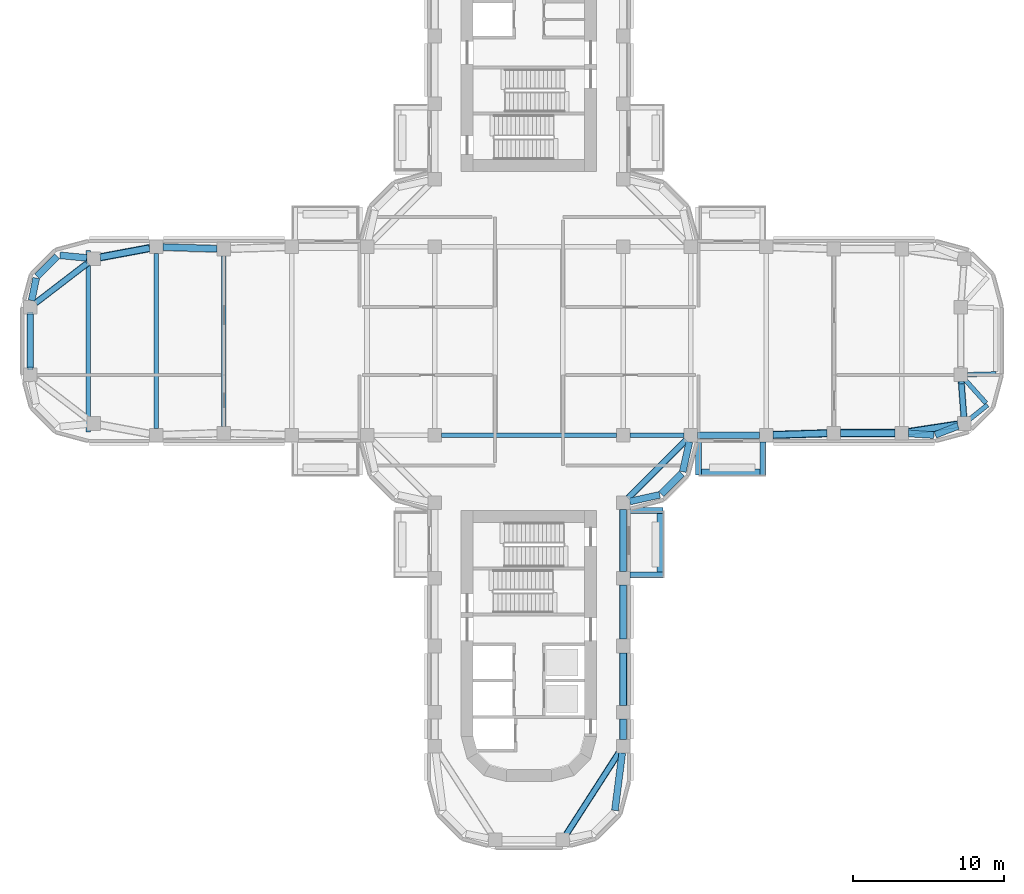
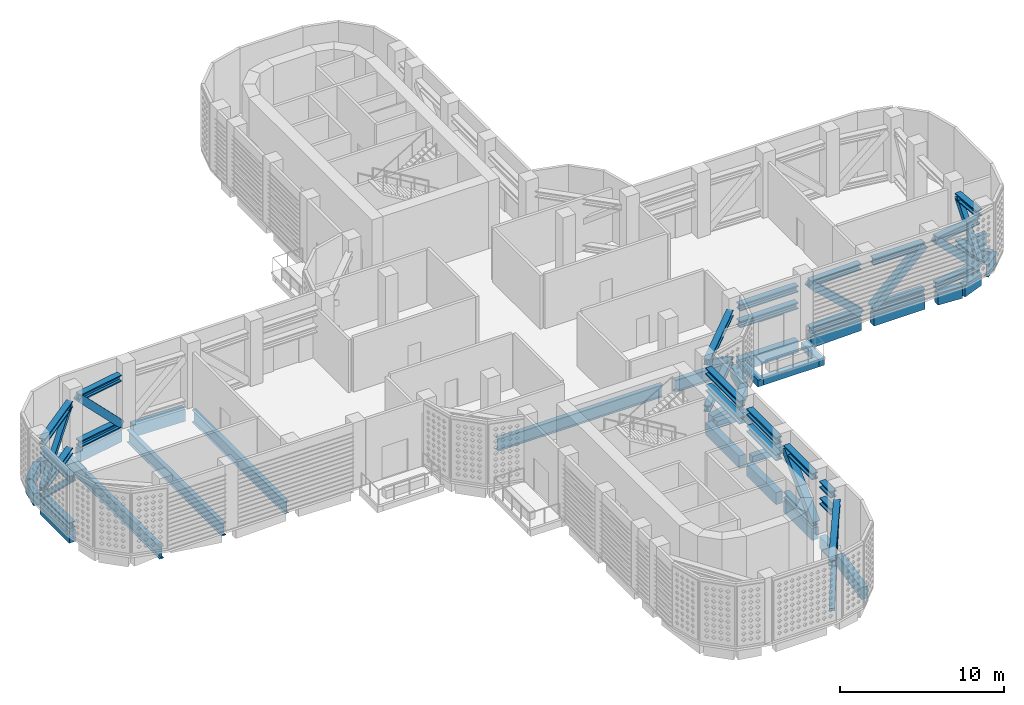
# One storey, part 2 of 20: 37 members, 33 beams.
"""IFC4 building model written with IfcOpenShell, lengths in metres."""

from ifc_helpers import new_model, si_unit, direction, frame, origin, origin_2d, place, context, subcontext, project, spatial, rectangle, hollow_rectangle, i_section, extrude, material, material_profile, profile_set, type_object, element, save


model = new_model("IFC4")

# Units and contexts
model_context = context("Model", 3, precision=1e-05, world=origin(), true_north=direction((0.0, 1.0)))
body_context = subcontext(model_context, "Body", "Model", "MODEL_VIEW")
ifc_project = project(units=[si_unit("LENGTHUNIT", "METRE"), si_unit("AREAUNIT", "SQUARE_METRE"), si_unit("VOLUMEUNIT", "CUBIC_METRE"), si_unit("PLANEANGLEUNIT", "RADIAN"), si_unit("MASSUNIT", "GRAM", prefix="KILO")], contexts=[model_context])

# Site, building, storey
site_placement = place(None, origin())
site = spatial("IfcSite", under=ifc_project, at=site_placement, CompositionType="ELEMENT")
building_placement = place(site_placement, origin())
building = spatial("IfcBuilding", under=site, at=building_placement, Name="Zarbagh Exchange Tower", CompositionType="ELEMENT")
storey_placement = place(building_placement, frame((0.0, 0.0, 136.0)))
storey = spatial("IfcBuildingStorey", under=building, at=storey_placement, Name="L32", CompositionType="ELEMENT", Elevation=136.0)

# Members
ifc_material_1 = material(Name="Steel ASTM A992 Gr 50", Category="steel")
ifc_material_profile_1 = material_profile(ifc_material_1, i_section(OverallWidth=0.421630859375, OverallDepth=0.46484375, WebThickness=0.044921875, FlangeThickness=0.072509765625, at=origin_2d()), Name="W14X398")
ifc_profile_set_1 = profile_set([ifc_material_profile_1], Name="Steel ASTM A992 Gr 50")
member_type_1 = type_object("IfcMemberType", Name="Belt truss chord W14X398", PredefinedType="CHORD", material=ifc_profile_set_1)
for number, where, z_axis, x_axis, name in (
    (1, (-33.110107421875, -1.800048828125, 0.232421875), (0.0, 1.0, 0.0), (-1.0, 0.0, 0.0), "Belt truss chord"),
    (2, (-33.110107421875, -1.800048828125, 3.697509765625), (0.0, 1.0, 0.0), (-1.0, 0.0, 0.0), "Belt truss chord"),
):
    element("IfcMember", number, at=place(storey_placement, frame(where, z_axis=z_axis, x_axis=x_axis)), inside=storey, type_object=member_type_1, Name=name, PredefinedType="CHORD", context=body_context, shape_type="SweptSolid", body=[
        extrude(i_section(OverallWidth=0.421630859375, OverallDepth=0.46484375, WebThickness=0.044921875, FlangeThickness=0.072509765625, at=origin_2d()), origin(), (0.0, 0.0, 1.0), 3.60009765625),
    ])
for number, where, z_axis, x_axis, name in (
    (3, (-32.7529296875, 2.52392578125, 0.232421875), (0.793294357749, 0.608838288844, 0.0), (-0.608838288844, 0.793294357749, 0.0), "Belt truss chord"),
    (4, (-32.7529296875, 2.52392578125, 3.697509765625), (0.793294357749, 0.608838288844, 0.0), (-0.608838288844, 0.793294357749, 0.0), "Belt truss chord"),
):
    element("IfcMember", number, at=place(storey_placement, frame(where, z_axis=z_axis, x_axis=x_axis)), inside=storey, type_object=member_type_1, Name=name, PredefinedType="CHORD", context=body_context, shape_type="SweptSolid", body=[
        extrude(i_section(OverallWidth=0.421630859375, OverallDepth=0.46484375, WebThickness=0.044921875, FlangeThickness=0.072509765625, at=origin_2d()), origin(), (0.0, 0.0, 1.0), 4.39697265625),
    ])
for number, where, z_axis, x_axis, name in (
    (5, (28.703125, -2.69873046875, 0.232421875), (0.073648183846, -0.997284284954, 0.0), (0.997284284954, 0.073648183846, 0.0), "Belt truss chord"),
    (6, (28.703125, -2.69873046875, 3.697509765625), (0.073648183846, -0.997284284954, 0.0), (0.997284284954, 0.073648183846, 0.0), "Belt truss chord"),
):
    element("IfcMember", number, at=place(storey_placement, frame(where, z_axis=z_axis, x_axis=x_axis)), inside=storey, type_object=member_type_1, Name=name, PredefinedType="CHORD", context=body_context, shape_type="SweptSolid", body=[
        extrude(i_section(OverallWidth=0.421630859375, OverallDepth=0.46484375, WebThickness=0.044921875, FlangeThickness=0.072509765625, at=origin_2d()), origin(), (0.0, 0.0, 1.0), 2.333740234375),
    ])
for number, where, z_axis, x_axis, name in (
    (7, (10.431884765625, -6.568115234375, 0.232421875), (-0.707106781187, -0.707106781187, 0.0), (0.707106781187, -0.707106781187, 0.0), "Belt truss chord"),
    (8, (10.431884765625, -6.568115234375, 3.697509765625), (-0.707106781187, -0.707106781187, 0.0), (0.707106781187, -0.707106781187, 0.0), "Belt truss chord"),
):
    element("IfcMember", number, at=place(storey_placement, frame(where, z_axis=z_axis, x_axis=x_axis)), inside=storey, type_object=member_type_1, Name=name, PredefinedType="CHORD", context=body_context, shape_type="SweptSolid", body=[
        extrude(i_section(OverallWidth=0.421630859375, OverallDepth=0.46484375, WebThickness=0.044921875, FlangeThickness=0.072509765625, at=origin_2d()), origin(), (0.0, 0.0, 1.0), 5.464111328125),
    ])
member_1_placement = place(storey_placement, frame((6.00634765625, -27.2783203125, 3.697509765625), z_axis=(-0.541516354651, -0.840690215029, 0.0), x_axis=(0.840690215029, -0.541516354651, 0.0)))
element("IfcMember", 9, at=member_1_placement, inside=storey, type_object=member_type_1, Name="Belt truss chord", PredefinedType="CHORD", context=body_context, shape_type="SweptSolid", body=[
    extrude(i_section(OverallWidth=0.421630859375, OverallDepth=0.46484375, WebThickness=0.044921875, FlangeThickness=0.072509765625, at=origin_2d()), origin(), (0.0, 0.0, 1.0), 6.48681640625),
])
ifc_material_2 = material(Name="Steel ASTM A500 Gr C", Category="steel")
ifc_material_profile_2 = material_profile(ifc_material_2, hollow_rectangle(XDim=0.355712890625, YDim=0.355712890625, WallThickness=0.014892578125, at=origin_2d()), Name="HSS14X14X5/8")
ifc_profile_set_2 = profile_set([ifc_material_profile_2], Name="Steel ASTM A500 Gr C")
member_type_2 = type_object("IfcMemberType", Name="Belt truss diagonal HSS14X14X5/8", PredefinedType="BRACE", material=ifc_profile_set_2)
member_2_placement = place(storey_placement, frame((-33.110107421875, 1.800048828125, 0.232421875), z_axis=(0.0, -0.720487463662, 0.693467962278), x_axis=(1.0, 0.0, 0.0)))
element("IfcMember", 10, at=member_2_placement, inside=storey, type_object=member_type_2, Name="Belt truss diagonal", PredefinedType="BRACE", context=body_context, shape_type="SweptSolid", body=[
    extrude(hollow_rectangle(XDim=0.355712890625, YDim=0.355712890625, WallThickness=0.014892578125, at=origin_2d()), origin(), (0.0, 0.0, 1.0), 4.996826171875),
])
member_3_placement = place(storey_placement, frame((-32.7529296875, 2.52392578125, 0.232421875), z_axis=(0.623066692411, 0.478191802498, 0.618967282522), x_axis=(-0.608838288844, 0.793294357749, 0.0)))
element("IfcMember", 11, at=member_3_placement, inside=storey, type_object=member_type_2, Name="Belt truss diagonal", PredefinedType="BRACE", context=body_context, shape_type="SweptSolid", body=[
    extrude(hollow_rectangle(XDim=0.355712890625, YDim=0.355712890625, WallThickness=0.014892578125, at=origin_2d()), origin(), (0.0, 0.0, 1.0), 5.59814453125),
])
member_4_placement = place(storey_placement, frame((28.875, -5.026123046875, 0.232421875), z_axis=(-0.04114111266, 0.557099754248, 0.829425869301), x_axis=(-0.997284284954, -0.073648183846, 0.0)))
element("IfcMember", 12, at=member_4_placement, inside=storey, type_object=member_type_2, Name="Belt truss diagonal", PredefinedType="BRACE", context=body_context, shape_type="SweptSolid", body=[
    extrude(hollow_rectangle(XDim=0.355712890625, YDim=0.355712890625, WallThickness=0.014892578125, at=origin_2d()), origin(), (0.0, 0.0, 1.0), 4.177734375),
])
member_5_placement = place(storey_placement, frame((10.431884765625, -6.568115234375, 0.232421875), z_axis=(-0.597158313507, -0.597158313507, 0.535540752155), x_axis=(0.707106781187, -0.707106781187, 0.0)))
element("IfcMember", 13, at=member_5_placement, inside=storey, type_object=member_type_2, Name="Belt truss diagonal", PredefinedType="BRACE", context=body_context, shape_type="SweptSolid", body=[
    extrude(hollow_rectangle(XDim=0.355712890625, YDim=0.355712890625, WallThickness=0.014892578125, at=origin_2d()), origin(), (0.0, 0.0, 1.0), 6.47021484375),
])
member_6_placement = place(storey_placement, frame((2.49365234375, -32.731689453125, 0.232421875), z_axis=(0.477641081446, 0.741525495986, 0.471167630592), x_axis=(-0.840690215029, 0.541516354651, 0.0)))
element("IfcMember", 14, at=member_6_placement, inside=storey, type_object=member_type_2, Name="Belt truss diagonal", PredefinedType="BRACE", context=body_context, shape_type="SweptSolid", body=[
    extrude(hollow_rectangle(XDim=0.355712890625, YDim=0.355712890625, WallThickness=0.014892578125, at=origin_2d()), origin(), (0.0, 0.0, 1.0), 7.354248046875),
])

# Beams
ifc_material_profile_3 = material_profile(ifc_material_1, i_section(OverallWidth=0.3046875, OverallDepth=0.904296875, WebThickness=0.01513671875, FlangeThickness=0.02001953125, at=origin_2d()), Name="W36X135")
ifc_profile_set_3 = profile_set([ifc_material_profile_3], Name="Steel ASTM A992 Gr 50")
beam_type_1 = type_object("IfcBeamType", Name="Floor beam W36X135", PredefinedType="BEAM", material=ifc_profile_set_3)
beam_1_placement = place(storey_placement, frame((-20.25, -5.659912109375, -0.60205078125), z_axis=(0.0, 1.0, 0.0), x_axis=(-1.0, 0.0, 0.0)))
element("IfcBeam", 15, at=beam_1_placement, inside=storey, type_object=beam_type_1, Name="Steel floor beam", PredefinedType="BEAM", context=body_context, shape_type="SweptSolid", body=[
    extrude(i_section(OverallWidth=0.3046875, OverallDepth=0.904296875, WebThickness=0.01513671875, FlangeThickness=0.02001953125, at=origin_2d()), origin(), (0.0, 0.0, 1.0), 11.31982421875),
])
beam_2_placement = place(storey_placement, frame((-24.75, -5.800048828125, -0.60205078125), z_axis=(0.0, 1.0, 0.0), x_axis=(-1.0, 0.0, 0.0)))
element("IfcBeam", 16, at=beam_2_placement, inside=storey, type_object=beam_type_1, Name="Steel floor beam", PredefinedType="BEAM", context=body_context, shape_type="SweptSolid", body=[
    extrude(i_section(OverallWidth=0.3046875, OverallDepth=0.904296875, WebThickness=0.01513671875, FlangeThickness=0.02001953125, at=origin_2d()), origin(), (0.0, 0.0, 1.0), 11.60009765625),
])
beam_3_placement = place(storey_placement, frame((-29.25, -6.02490234375, -0.60205078125), z_axis=(0.0, 1.0, 0.0), x_axis=(-1.0, 0.0, 0.0)))
element("IfcBeam", 17, at=beam_3_placement, inside=storey, type_object=beam_type_1, Name="Steel floor beam", PredefinedType="BEAM", context=body_context, shape_type="SweptSolid", body=[
    extrude(i_section(OverallWidth=0.3046875, OverallDepth=0.904296875, WebThickness=0.01513671875, FlangeThickness=0.02001953125, at=origin_2d()), origin(), (0.0, 0.0, 1.0), 12.0498046875),
])
ifc_material_profile_4 = material_profile(ifc_material_1, i_section(OverallWidth=0.3046875, OverallDepth=0.911865234375, WebThickness=0.015869140625, FlangeThickness=0.02392578125, at=origin_2d()), Name="W36X150")
ifc_profile_set_4 = profile_set([ifc_material_profile_4], Name="Steel ASTM A992 Gr 50")
beam_type_2 = type_object("IfcBeamType", Name="Floor girder W36X150", PredefinedType="BEAM", material=ifc_profile_set_4)
beam_4_placement = place(storey_placement, frame((31.0, -2.18408203125, -0.60595703125), z_axis=(-0.999599568876, -0.028296676537, 0.0), x_axis=(0.028296676537, -0.999599568876, 0.0)))
element("IfcBeam", 18, at=beam_4_placement, inside=storey, type_object=beam_type_2, Name="Steel girder", PredefinedType="BEAM", context=body_context, shape_type="SweptSolid", body=[
    extrude(i_section(OverallWidth=0.3046875, OverallDepth=0.911865234375, WebThickness=0.015869140625, FlangeThickness=0.02392578125, at=origin_2d()), origin(), (0.0, 0.0, 1.0), 1.880859375),
])
beam_5_placement = place(storey_placement, frame((28.9697265625, -2.585693359375, -0.60595703125), z_axis=(0.666333788732, -0.745653593832, 0.0), x_axis=(0.745653593832, 0.666333788732, 0.0)))
element("IfcBeam", 19, at=beam_5_placement, inside=storey, type_object=beam_type_2, Name="Steel girder", PredefinedType="BEAM", context=body_context, shape_type="SweptSolid", body=[
    extrude(i_section(OverallWidth=0.3046875, OverallDepth=0.911865234375, WebThickness=0.015869140625, FlangeThickness=0.02392578125, at=origin_2d()), origin(), (0.0, 0.0, 1.0), 2.05908203125),
])
beam_6_placement = place(storey_placement, frame((30.44873046875, -4.2412109375, -0.60595703125), z_axis=(-0.780603004261, -0.6250271592, 0.0), x_axis=(0.6250271592, -0.780603004261, 0.0)))
element("IfcBeam", 20, at=beam_6_placement, inside=storey, type_object=beam_type_2, Name="Steel girder", PredefinedType="BEAM", context=body_context, shape_type="SweptSolid", body=[
    extrude(i_section(OverallWidth=0.3046875, OverallDepth=0.911865234375, WebThickness=0.015869140625, FlangeThickness=0.02392578125, at=origin_2d()), origin(), (0.0, 0.0, 1.0), 1.523681640625),
])
beam_7_placement = place(storey_placement, frame((-5.800048828125, -6.25, -0.60595703125), z_axis=(1.0, 0.0, 0.0), x_axis=(0.0, 1.0, 0.0)))
element("IfcBeam", 21, at=beam_7_placement, inside=storey, type_object=beam_type_2, Name="Steel girder", PredefinedType="BEAM", context=body_context, shape_type="SweptSolid", body=[
    extrude(i_section(OverallWidth=0.3046875, OverallDepth=0.911865234375, WebThickness=0.015869140625, FlangeThickness=0.02392578125, at=origin_2d()), origin(), (0.0, 0.0, 1.0), 11.60009765625),
])
beam_8_placement = place(storey_placement, frame((6.699951171875, -6.25, -0.60595703125), z_axis=(1.0, 0.0, 0.0), x_axis=(0.0, 1.0, 0.0)))
element("IfcBeam", 22, at=beam_8_placement, inside=storey, type_object=beam_type_2, Name="Steel girder", PredefinedType="BEAM", context=body_context, shape_type="SweptSolid", body=[
    extrude(i_section(OverallWidth=0.3046875, OverallDepth=0.911865234375, WebThickness=0.015869140625, FlangeThickness=0.02392578125, at=origin_2d()), origin(), (0.0, 0.0, 1.0), 3.60009765625),
])

# Members
ifc_material_profile_5 = material_profile(ifc_material_1, i_section(OverallWidth=0.4267578125, OverallDepth=0.482666015625, WebThickness=0.05126953125, FlangeThickness=0.08154296875, at=origin_2d()), Name="W14X455")
ifc_profile_set_5 = profile_set([ifc_material_profile_5], Name="Steel ASTM A992 Gr 50")
member_type_3 = type_object("IfcMemberType", Name="Outrigger truss chord W14X455", PredefinedType="CHORD", material=ifc_profile_set_5)
for number, where, z_axis, x_axis, name in (
    (23, (-28.465576171875, 5.5576171875, 0.2412109375), (0.98308156541, 0.183168326277, 0.0), (-0.183168326277, 0.98308156541, 0.0), "Outrigger truss chord"),
    (24, (-28.465576171875, 5.5576171875, 3.688720703125), (0.98308156541, 0.183168326277, 0.0), (-0.183168326277, 0.98308156541, 0.0), "Outrigger truss chord"),
):
    element("IfcMember", number, at=place(storey_placement, frame(where, z_axis=z_axis, x_axis=x_axis)), inside=storey, type_object=member_type_3, Name=name, PredefinedType="CHORD", context=body_context, shape_type="SweptSolid", body=[
        extrude(i_section(OverallWidth=0.4267578125, OverallDepth=0.482666015625, WebThickness=0.05126953125, FlangeThickness=0.08154296875, at=origin_2d()), origin(), (0.0, 0.0, 1.0), 3.32958984375),
    ])
for number, where, z_axis, x_axis, name in (
    (25, (28.463134765625, -5.54296875, 0.2412109375), (-0.988543505948, -0.150936201252, 0.0), (0.150936201252, -0.988543505948, 0.0), "Outrigger truss chord"),
    (26, (28.463134765625, -5.54296875, 3.688720703125), (-0.988543505948, -0.150936201252, 0.0), (0.150936201252, -0.988543505948, 0.0), "Outrigger truss chord"),
):
    element("IfcMember", number, at=place(storey_placement, frame(where, z_axis=z_axis, x_axis=x_axis)), inside=storey, type_object=member_type_3, Name=name, PredefinedType="CHORD", context=body_context, shape_type="SweptSolid", body=[
        extrude(i_section(OverallWidth=0.4267578125, OverallDepth=0.482666015625, WebThickness=0.05126953125, FlangeThickness=0.08154296875, at=origin_2d()), origin(), (0.0, 0.0, 1.0), 3.30615234375),
    ])
for number, where, z_axis, x_axis, name in (
    (27, (24.300048828125, -6.110107421875, 0.2412109375), (-1.0, 0.0, 0.0), (0.0, -1.0, 0.0), "Outrigger truss chord"),
    (28, (24.300048828125, -6.110107421875, 3.688720703125), (-1.0, 0.0, 0.0), (0.0, -1.0, 0.0), "Outrigger truss chord"),
):
    element("IfcMember", number, at=place(storey_placement, frame(where, z_axis=z_axis, x_axis=x_axis)), inside=storey, type_object=member_type_3, Name=name, PredefinedType="CHORD", context=body_context, shape_type="SweptSolid", body=[
        extrude(i_section(OverallWidth=0.4267578125, OverallDepth=0.482666015625, WebThickness=0.05126953125, FlangeThickness=0.08154296875, at=origin_2d()), origin(), (0.0, 0.0, 1.0), 3.60009765625),
    ])
for number, where, z_axis, x_axis, name in (
    (29, (19.80029296875, -6.1240234375, 0.2412109375), (-0.999516035224, -0.031107801747, 0.0), (0.031107801747, -0.999516035224, 0.0), "Outrigger truss chord"),
    (30, (19.80029296875, -6.1240234375, 3.688720703125), (-0.999516035224, -0.031107801747, 0.0), (0.031107801747, -0.999516035224, 0.0), "Outrigger truss chord"),
):
    element("IfcMember", number, at=place(storey_placement, frame(where, z_axis=z_axis, x_axis=x_axis)), inside=storey, type_object=member_type_3, Name=name, PredefinedType="CHORD", context=body_context, shape_type="SweptSolid", body=[
        extrude(i_section(OverallWidth=0.4267578125, OverallDepth=0.482666015625, WebThickness=0.05126953125, FlangeThickness=0.08154296875, at=origin_2d()), origin(), (0.0, 0.0, 1.0), 3.602294921875),
    ])
for number, where, z_axis, x_axis, name in (
    (31, (15.300048828125, -6.25, 2.44140625), (-1.0, 0.0, 0.0), (0.0, -1.0, 0.0), "Outrigger truss chord"),
    (32, (15.300048828125, -6.25, 3.688720703125), (-1.0, 0.0, 0.0), (0.0, -1.0, 0.0), "Outrigger truss chord"),
    (33, (6.25, -11.199951171875, 2.44140625), (0.0, -1.0, 0.0), (1.0, 0.0, 0.0), "Outrigger truss chord"),
    (34, (6.25, -11.199951171875, 3.688720703125), (0.0, -1.0, 0.0), (1.0, 0.0, 0.0), "Outrigger truss chord"),
):
    element("IfcMember", number, at=place(storey_placement, frame(where, z_axis=z_axis, x_axis=x_axis)), inside=storey, type_object=member_type_3, Name=name, PredefinedType="CHORD", context=body_context, shape_type="SweptSolid", body=[
        extrude(i_section(OverallWidth=0.4267578125, OverallDepth=0.482666015625, WebThickness=0.05126953125, FlangeThickness=0.08154296875, at=origin_2d()), origin(), (0.0, 0.0, 1.0), 4.10009765625),
    ])
for number, where, z_axis, x_axis, name in (
    (35, (6.25, -16.199951171875, 2.44140625), (0.0, -1.0, 0.0), (1.0, 0.0, 0.0), "Outrigger truss chord"),
    (36, (6.25, -16.199951171875, 3.688720703125), (0.0, -1.0, 0.0), (1.0, 0.0, 0.0), "Outrigger truss chord"),
):
    element("IfcMember", number, at=place(storey_placement, frame(where, z_axis=z_axis, x_axis=x_axis)), inside=storey, type_object=member_type_3, Name=name, PredefinedType="CHORD", context=body_context, shape_type="SweptSolid", body=[
        extrude(i_section(OverallWidth=0.4267578125, OverallDepth=0.482666015625, WebThickness=0.05126953125, FlangeThickness=0.08154296875, at=origin_2d()), origin(), (0.0, 0.0, 1.0), 3.60009765625),
    ])
for number, where, z_axis, x_axis, name in (
    (37, (6.25, -20.699951171875, 0.2412109375), (0.0, -1.0, 0.0), (1.0, 0.0, 0.0), "Outrigger truss chord"),
    (38, (6.25, -20.699951171875, 3.688720703125), (0.0, -1.0, 0.0), (1.0, 0.0, 0.0), "Outrigger truss chord"),
):
    element("IfcMember", number, at=place(storey_placement, frame(where, z_axis=z_axis, x_axis=x_axis)), inside=storey, type_object=member_type_3, Name=name, PredefinedType="CHORD", context=body_context, shape_type="SweptSolid", body=[
        extrude(i_section(OverallWidth=0.4267578125, OverallDepth=0.482666015625, WebThickness=0.05126953125, FlangeThickness=0.08154296875, at=origin_2d()), origin(), (0.0, 0.0, 1.0), 3.5),
    ])
for number, where, z_axis, x_axis, name in (
    (39, (6.25, -25.10009765625, 2.44140625), (0.0, -1.0, 0.0), (1.0, 0.0, 0.0), "Outrigger truss chord"),
    (40, (6.25, -25.10009765625, 3.688720703125), (0.0, -1.0, 0.0), (1.0, 0.0, 0.0), "Outrigger truss chord"),
):
    element("IfcMember", number, at=place(storey_placement, frame(where, z_axis=z_axis, x_axis=x_axis)), inside=storey, type_object=member_type_3, Name=name, PredefinedType="CHORD", context=body_context, shape_type="SweptSolid", body=[
        extrude(i_section(OverallWidth=0.4267578125, OverallDepth=0.482666015625, WebThickness=0.05126953125, FlangeThickness=0.08154296875, at=origin_2d()), origin(), (0.0, 0.0, 1.0), 1.349853515625),
    ])
ifc_material_profile_6 = material_profile(ifc_material_2, hollow_rectangle(XDim=0.508056640625, YDim=0.508056640625, WallThickness=0.017578125, at=origin_2d()), Name="HSS20X20X3/4")
ifc_profile_set_6 = profile_set([ifc_material_profile_6], Name="Steel ASTM A500 Gr C")
member_type_4 = type_object("IfcMemberType", Name="Outrigger truss diagonal HSS20X20X3/4", PredefinedType="BRACE", material=ifc_profile_set_6)
member_7_placement = place(storey_placement, frame((-25.1923828125, 6.16748046875, 0.2412109375), z_axis=(-0.682937912871, -0.127245387212, 0.719308291762), x_axis=(0.183168326277, -0.98308156541, 0.0)))
element("IfcMember", 41, at=member_7_placement, inside=storey, type_object=member_type_4, Name="Outrigger truss diagonal", PredefinedType="BRACE", context=body_context, shape_type="SweptSolid", body=[
    extrude(hollow_rectangle(XDim=0.508056640625, YDim=0.508056640625, WallThickness=0.017578125, at=origin_2d()), origin(), (0.0, 0.0, 1.0), 4.792724609375),
])
member_8_placement = place(storey_placement, frame((28.463134765625, -5.54296875, 0.2412109375), z_axis=(-0.684229257661, -0.104471846019, 0.721745077122), x_axis=(0.150936201252, -0.988543505948, 0.0)))
element("IfcMember", 42, at=member_8_placement, inside=storey, type_object=member_type_4, Name="Outrigger truss diagonal", PredefinedType="BRACE", context=body_context, shape_type="SweptSolid", body=[
    extrude(hollow_rectangle(XDim=0.508056640625, YDim=0.508056640625, WallThickness=0.017578125, at=origin_2d()), origin(), (0.0, 0.0, 1.0), 4.776611328125),
])
member_9_placement = place(storey_placement, frame((20.699951171875, -6.110107421875, 0.2412109375), z_axis=(0.722247101534, 0.0, 0.691635109234), x_axis=(0.0, 1.0, 0.0)))
element("IfcMember", 43, at=member_9_placement, inside=storey, type_object=member_type_4, Name="Outrigger truss diagonal", PredefinedType="BRACE", context=body_context, shape_type="SweptSolid", body=[
    extrude(hollow_rectangle(XDim=0.508056640625, YDim=0.508056640625, WallThickness=0.017578125, at=origin_2d()), origin(), (0.0, 0.0, 1.0), 4.984619140625),
])
member_10_placement = place(storey_placement, frame((19.80029296875, -6.1240234375, 0.2412109375), z_axis=(-0.722111521544, -0.022474178762, 0.691411499574), x_axis=(0.031107801747, -0.999516035224, 0.0)))
element("IfcMember", 44, at=member_10_placement, inside=storey, type_object=member_type_4, Name="Outrigger truss diagonal", PredefinedType="BRACE", context=body_context, shape_type="SweptSolid", body=[
    extrude(hollow_rectangle(XDim=0.508056640625, YDim=0.508056640625, WallThickness=0.017578125, at=origin_2d()), origin(), (0.0, 0.0, 1.0), 4.986083984375),
])
member_11_placement = place(storey_placement, frame((6.25, -24.199951171875, 0.2412109375), z_axis=(0.0, 0.712428822808, 0.701744378269), x_axis=(-1.0, 0.0, 0.0)))
element("IfcMember", 45, at=member_11_placement, inside=storey, type_object=member_type_4, Name="Outrigger truss diagonal", PredefinedType="BRACE", context=body_context, shape_type="SweptSolid", body=[
    extrude(hollow_rectangle(XDim=0.508056640625, YDim=0.508056640625, WallThickness=0.017578125, at=origin_2d()), origin(), (0.0, 0.0, 1.0), 4.912841796875),
])

# Beams
ifc_material_3 = material(Name="Concrete C40/50", Category="concrete")
ifc_material_profile_7 = material_profile(ifc_material_3, rectangle(XDim=0.39990234375, YDim=0.5, at=origin_2d()), Name="RC bay edge beam 400 x 500 C40/50")
ifc_profile_set_7 = profile_set([ifc_material_profile_7], Name="Concrete C40/50")
beam_type_3 = type_object("IfcBeamType", Name="RC bay edge beam 400 x 500 C40/50", PredefinedType="BEAM", material=ifc_profile_set_7)
for number, where, z_axis, x_axis, name in (
    (46, (8.699951171875, -15.35009765625, -0.39990234375), (0.0, 1.0, 0.0), (-1.0, 0.0, 0.0), "RC bay edge beam"),
    (47, (11.449951171875, -8.699951171875, -0.39990234375), (1.0, 0.0, 0.0), (0.0, 1.0, 0.0), "RC bay edge beam"),
):
    element("IfcBeam", number, at=place(storey_placement, frame(where, z_axis=z_axis, x_axis=x_axis)), inside=storey, type_object=beam_type_3, Name=name, PredefinedType="BEAM", context=body_context, shape_type="SweptSolid", body=[
        extrude(rectangle(XDim=0.39990234375, YDim=0.5, at=origin_2d()), origin(), (0.0, 0.0, 1.0), 3.900146484375),
    ])
ifc_material_profile_8 = material_profile(ifc_material_3, rectangle(XDim=0.39990234375, YDim=0.5, at=origin_2d()), Name="RC cantilever beam 400 x 500 C40/50")
ifc_profile_set_8 = profile_set([ifc_material_profile_8], Name="Concrete C40/50")
beam_type_4 = type_object("IfcBeamType", Name="RC cantilever beam 400 x 500 C40/50", PredefinedType="BEAM", material=ifc_profile_set_8)
for number, where, z_axis, x_axis, name in (
    (48, (6.699951171875, -15.550048828125, -0.39990234375), (1.0, 0.0, 0.0), (0.0, 1.0, 0.0), "RC cantilever beam"),
    (49, (6.699951171875, -11.25, -0.39990234375), (1.0, 0.0, 0.0), (0.0, 1.0, 0.0), "RC cantilever beam"),
    (50, (11.25, -6.699951171875, -0.39990234375), (0.0, -1.0, 0.0), (1.0, 0.0, 0.0), "RC cantilever beam"),
    (51, (15.550048828125, -6.699951171875, -0.39990234375), (0.0, -1.0, 0.0), (1.0, 0.0, 0.0), "RC cantilever beam"),
):
    element("IfcBeam", number, at=place(storey_placement, frame(where, z_axis=z_axis, x_axis=x_axis)), inside=storey, type_object=beam_type_4, Name=name, PredefinedType="BEAM", context=body_context, shape_type="SweptSolid", body=[
        extrude(rectangle(XDim=0.39990234375, YDim=0.5, at=origin_2d()), origin(), (0.0, 0.0, 1.0), 2.199951171875),
    ])
ifc_material_4 = material(Name="Concrete C60/75", Category="concrete")
ifc_material_profile_9 = material_profile(ifc_material_4, rectangle(XDim=0.449951171875, YDim=0.89990234375, at=origin_2d()), Name="RC spandrel beam 450 x 900 C60/75")
ifc_profile_set_9 = profile_set([ifc_material_profile_9], Name="Concrete C60/75")
beam_type_5 = type_object("IfcBeamType", Name="RC spandrel beam 450 x 900 C60/75", PredefinedType="SPANDREL", material=ifc_profile_set_9)
beam_9_placement = place(storey_placement, frame((-33.110107421875, -1.800048828125, -0.60009765625), z_axis=(0.0, 1.0, 0.0), x_axis=(-1.0, 0.0, 0.0)))
element("IfcBeam", 52, at=beam_9_placement, inside=storey, type_object=beam_type_5, Name="RC spandrel beam", PredefinedType="SPANDREL", context=body_context, shape_type="SweptSolid", body=[
    extrude(rectangle(XDim=0.449951171875, YDim=0.89990234375, at=origin_2d()), origin(), (0.0, 0.0, 1.0), 3.60009765625),
])
beam_10_placement = place(storey_placement, frame((-33.01904296875, 2.690673828125, -0.60009765625), z_axis=(0.202275417995, 0.979328675816, 0.0), x_axis=(-0.979328675816, 0.202275417995, 0.0)))
element("IfcBeam", 53, at=beam_10_placement, inside=storey, type_object=beam_type_5, Name="RC spandrel beam", PredefinedType="SPANDREL", context=body_context, shape_type="SweptSolid", body=[
    extrude(rectangle(XDim=0.449951171875, YDim=0.89990234375, at=origin_2d()), origin(), (0.0, 0.0, 1.0), 1.515869140625),
])
beam_11_placement = place(storey_placement, frame((-32.651123046875, 4.288818359375, -0.60009765625), z_axis=(0.707106781187, 0.707106781187, 0.0), x_axis=(-0.707106781187, 0.707106781187, 0.0)))
element("IfcBeam", 54, at=beam_11_placement, inside=storey, type_object=beam_type_5, Name="RC spandrel beam", PredefinedType="SPANDREL", context=body_context, shape_type="SweptSolid", body=[
    extrude(rectangle(XDim=0.449951171875, YDim=0.89990234375, at=origin_2d()), origin(), (0.0, 0.0, 1.0), 1.887939453125),
])
beam_12_placement = place(storey_placement, frame((-31.135498046875, 5.688720703125, -0.60009765625), z_axis=(0.995433267802, -0.095459988228, 0.0), x_axis=(0.095459988228, 0.995433267802, 0.0)))
element("IfcBeam", 55, at=beam_12_placement, inside=storey, type_object=beam_type_5, Name="RC spandrel beam", PredefinedType="SPANDREL", context=body_context, shape_type="SweptSolid", body=[
    extrude(rectangle(XDim=0.449951171875, YDim=0.89990234375, at=origin_2d()), origin(), (0.0, 0.0, 1.0), 1.78759765625),
])
beam_13_placement = place(storey_placement, frame((-28.465576171875, 5.5576171875, -0.60009765625), z_axis=(0.98308156541, 0.183168326277, 0.0), x_axis=(-0.183168326277, 0.98308156541, 0.0)))
element("IfcBeam", 56, at=beam_13_placement, inside=storey, type_object=beam_type_5, Name="RC spandrel beam", PredefinedType="SPANDREL", context=body_context, shape_type="SweptSolid", body=[
    extrude(rectangle(XDim=0.449951171875, YDim=0.89990234375, at=origin_2d()), origin(), (0.0, 0.0, 1.0), 3.32958984375),
])
beam_14_placement = place(storey_placement, frame((-24.30029296875, 6.236083984375, -0.60009765625), z_axis=(0.999516035224, -0.031107801747, 0.0), x_axis=(0.031107801747, 0.999516035224, 0.0)))
element("IfcBeam", 57, at=beam_14_placement, inside=storey, type_object=beam_type_5, Name="RC spandrel beam", PredefinedType="SPANDREL", context=body_context, shape_type="SweptSolid", body=[
    extrude(rectangle(XDim=0.449951171875, YDim=0.89990234375, at=origin_2d()), origin(), (0.0, 0.0, 1.0), 3.602294921875),
])
beam_15_placement = place(storey_placement, frame((28.489013671875, -5.639404296875, -0.60009765625), z_axis=(-0.930806421439, -0.365512524832, 0.0), x_axis=(0.365512524832, -0.930806421439, 0.0)))
element("IfcBeam", 58, at=beam_15_placement, inside=storey, type_object=beam_type_5, Name="RC spandrel beam", PredefinedType="SPANDREL", context=body_context, shape_type="SweptSolid", body=[
    extrude(rectangle(XDim=0.449951171875, YDim=0.89990234375, at=origin_2d()), origin(), (0.0, 0.0, 1.0), 1.620361328125),
])
beam_16_placement = place(storey_placement, frame((26.88427734375, -6.246826171875, -0.60009765625), z_axis=(-0.997955762545, 0.063908497109, 0.0), x_axis=(-0.063908497109, -0.997955762545, 0.0)))
element("IfcBeam", 59, at=beam_16_placement, inside=storey, type_object=beam_type_5, Name="RC spandrel beam", PredefinedType="SPANDREL", context=body_context, shape_type="SweptSolid", body=[
    extrude(rectangle(XDim=0.449951171875, YDim=0.89990234375, at=origin_2d()), origin(), (0.0, 0.0, 1.0), 1.6884765625),
])
beam_17_placement = place(storey_placement, frame((24.300048828125, -6.110107421875, -0.60009765625), z_axis=(-1.0, 0.0, 0.0), x_axis=(0.0, -1.0, 0.0)))
element("IfcBeam", 60, at=beam_17_placement, inside=storey, type_object=beam_type_5, Name="RC spandrel beam", PredefinedType="SPANDREL", context=body_context, shape_type="SweptSolid", body=[
    extrude(rectangle(XDim=0.449951171875, YDim=0.89990234375, at=origin_2d()), origin(), (0.0, 0.0, 1.0), 3.60009765625),
])
beam_18_placement = place(storey_placement, frame((19.80029296875, -6.1240234375, -0.60009765625), z_axis=(-0.999516035224, -0.031107801747, 0.0), x_axis=(0.031107801747, -0.999516035224, 0.0)))
element("IfcBeam", 61, at=beam_18_placement, inside=storey, type_object=beam_type_5, Name="RC spandrel beam", PredefinedType="SPANDREL", context=body_context, shape_type="SweptSolid", body=[
    extrude(rectangle(XDim=0.449951171875, YDim=0.89990234375, at=origin_2d()), origin(), (0.0, 0.0, 1.0), 3.602294921875),
])
beam_19_placement = place(storey_placement, frame((15.300048828125, -6.25, -0.60009765625), z_axis=(-1.0, 0.0, 0.0), x_axis=(0.0, -1.0, 0.0)))
element("IfcBeam", 62, at=beam_19_placement, inside=storey, type_object=beam_type_5, Name="RC spandrel beam", PredefinedType="SPANDREL", context=body_context, shape_type="SweptSolid", body=[
    extrude(rectangle(XDim=0.449951171875, YDim=0.89990234375, at=origin_2d()), origin(), (0.0, 0.0, 1.0), 4.10009765625),
])
beam_20_placement = place(storey_placement, frame((10.65283203125, -6.689453125, -0.60009765625), z_axis=(-0.216117666208, -0.976367325525, 0.0), x_axis=(0.976367325525, -0.216117666208, 0.0)))
element("IfcBeam", 63, at=beam_20_placement, inside=storey, type_object=beam_type_5, Name="RC spandrel beam", PredefinedType="SPANDREL", context=body_context, shape_type="SweptSolid", body=[
    extrude(rectangle(XDim=0.449951171875, YDim=0.89990234375, at=origin_2d()), origin(), (0.0, 0.0, 1.0), 2.03564453125),
])
beam_21_placement = place(storey_placement, frame((10.15234375, -8.78759765625, -0.60009765625), z_axis=(-0.707106781187, -0.707106781187, 0.0), x_axis=(0.707106781187, -0.707106781187, 0.0)))
element("IfcBeam", 64, at=beam_21_placement, inside=storey, type_object=beam_type_5, Name="RC spandrel beam", PredefinedType="SPANDREL", context=body_context, shape_type="SweptSolid", body=[
    extrude(rectangle(XDim=0.449951171875, YDim=0.89990234375, at=origin_2d()), origin(), (0.0, 0.0, 1.0), 1.929931640625),
])
beam_22_placement = place(storey_placement, frame((8.677001953125, -10.212890625, -0.60009765625), z_axis=(-0.976367325525, -0.216117666208, 0.0), x_axis=(0.216117666208, -0.976367325525, 0.0)))
element("IfcBeam", 65, at=beam_22_placement, inside=storey, type_object=beam_type_5, Name="RC spandrel beam", PredefinedType="SPANDREL", context=body_context, shape_type="SweptSolid", body=[
    extrude(rectangle(XDim=0.449951171875, YDim=0.89990234375, at=origin_2d()), origin(), (0.0, 0.0, 1.0), 2.03564453125),
])
beam_23_placement = place(storey_placement, frame((6.25, -11.199951171875, -0.60009765625), z_axis=(0.0, -1.0, 0.0), x_axis=(1.0, 0.0, 0.0)))
element("IfcBeam", 66, at=beam_23_placement, inside=storey, type_object=beam_type_5, Name="RC spandrel beam", PredefinedType="SPANDREL", context=body_context, shape_type="SweptSolid", body=[
    extrude(rectangle(XDim=0.449951171875, YDim=0.89990234375, at=origin_2d()), origin(), (0.0, 0.0, 1.0), 4.10009765625),
])
beam_24_placement = place(storey_placement, frame((6.25, -16.199951171875, -0.60009765625), z_axis=(0.0, -1.0, 0.0), x_axis=(1.0, 0.0, 0.0)))
element("IfcBeam", 67, at=beam_24_placement, inside=storey, type_object=beam_type_5, Name="RC spandrel beam", PredefinedType="SPANDREL", context=body_context, shape_type="SweptSolid", body=[
    extrude(rectangle(XDim=0.449951171875, YDim=0.89990234375, at=origin_2d()), origin(), (0.0, 0.0, 1.0), 3.60009765625),
])
beam_25_placement = place(storey_placement, frame((6.25, -20.699951171875, -0.60009765625), z_axis=(0.0, -1.0, 0.0), x_axis=(1.0, 0.0, 0.0)))
element("IfcBeam", 68, at=beam_25_placement, inside=storey, type_object=beam_type_5, Name="RC spandrel beam", PredefinedType="SPANDREL", context=body_context, shape_type="SweptSolid", body=[
    extrude(rectangle(XDim=0.449951171875, YDim=0.89990234375, at=origin_2d()), origin(), (0.0, 0.0, 1.0), 3.5),
])
beam_26_placement = place(storey_placement, frame((6.25, -25.10009765625, -0.60009765625), z_axis=(0.0, -1.0, 0.0), x_axis=(1.0, 0.0, 0.0)))
element("IfcBeam", 69, at=beam_26_placement, inside=storey, type_object=beam_type_5, Name="RC spandrel beam", PredefinedType="SPANDREL", context=body_context, shape_type="SweptSolid", body=[
    extrude(rectangle(XDim=0.449951171875, YDim=0.89990234375, at=origin_2d()), origin(), (0.0, 0.0, 1.0), 1.349853515625),
])
beam_27_placement = place(storey_placement, frame((6.193359375, -27.346435546875, -0.60009765625), z_axis=(-0.12597055537, -0.992033980859, 0.0), x_axis=(0.992033980859, -0.12597055537, 0.0)))
element("IfcBeam", 70, at=beam_27_placement, inside=storey, type_object=beam_type_5, Name="RC spandrel beam", PredefinedType="SPANDREL", context=body_context, shape_type="SweptSolid", body=[
    extrude(rectangle(XDim=0.449951171875, YDim=0.89990234375, at=origin_2d()), origin(), (0.0, 0.0, 1.0), 3.84912109375),
])

save(model, "model.ifc")
